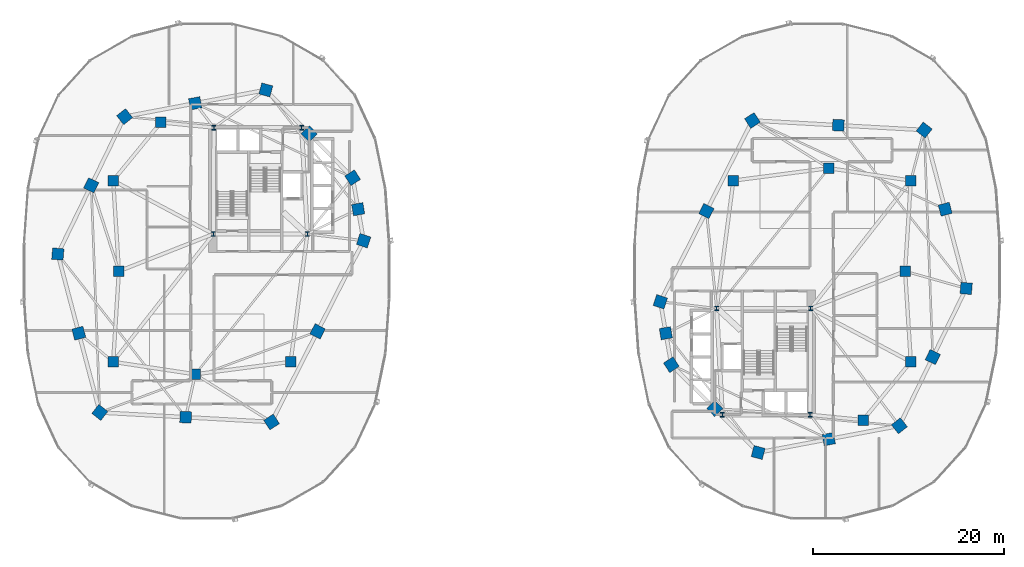
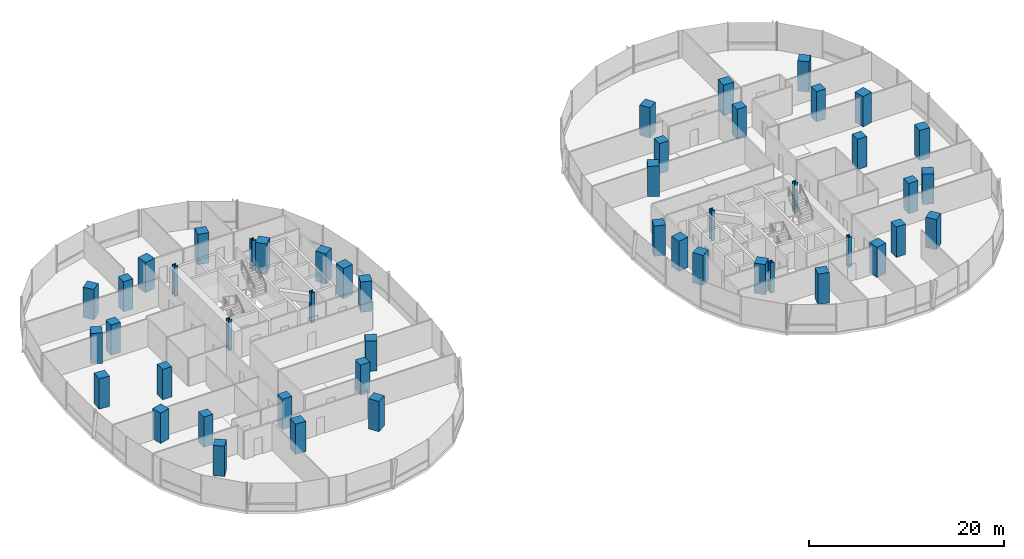
# One storey, part 1 of 22: 48 columns.
"""IFC4 building model written with IfcOpenShell, lengths in metres."""

from ifc_helpers import new_model, si_unit, direction, frame, origin, origin_2d, place, context, subcontext, project, spatial, rectangle, i_section, extrude, material, material_profile, profile_set, type_object, element, save


model = new_model("IFC4")

# Units and contexts
model_context = context("Model", 3, precision=1e-05, world=origin(), true_north=direction((0.0, 1.0)))
body_context = subcontext(model_context, "Body", "Model", "MODEL_VIEW")
ifc_project = project(units=[si_unit("LENGTHUNIT", "METRE"), si_unit("AREAUNIT", "SQUARE_METRE"), si_unit("VOLUMEUNIT", "CUBIC_METRE"), si_unit("PLANEANGLEUNIT", "RADIAN"), si_unit("MASSUNIT", "GRAM", prefix="KILO"), si_unit("THERMODYNAMICTEMPERATUREUNIT", "KELVIN"), si_unit("POWERUNIT", "WATT")], contexts=[model_context])

# Site, building, storey
site_placement = place(None, origin())
site = spatial("IfcSite", under=ifc_project, at=site_placement, CompositionType="ELEMENT")
building_placement = place(site_placement, origin())
building = spatial("IfcBuilding", under=site, at=building_placement, Name="Cundina Bronze Exchange", CompositionType="ELEMENT")
storey_placement = place(building_placement, frame((0.0, 0.0, 35.39990234375)))
storey = spatial("IfcBuildingStorey", under=building, at=storey_placement, Name="L08", CompositionType="ELEMENT", Elevation=35.39990234375)

# Columns
ifc_material_1 = material(Name="Steel ASTM A992 Grade 50", Category="steel")
ifc_material_profile_1 = material_profile(ifc_material_1, i_section(OverallWidth=0.431884765625, OverallDepth=0.498046875, WebThickness=0.0556640625, FlangeThickness=0.0888671875, FilletRadius=0.01806640625, at=origin_2d()), Name="W14X500", Category="steel")
ifc_profile_set_1 = profile_set([ifc_material_profile_1], Name="Steel ASTM A992 Grade 50")
column_type_1 = type_object("IfcColumnType", Name="COL-STL-W14A", PredefinedType="COLUMN", material=ifc_profile_set_1)
for number, where, z_axis, x_axis, name in (
    (1, (-31.300048828125, 3.89990234375, 0.0), (0.0, 0.0, 1.0), (1.0, 0.0, 0.0), "L08 Core Anchor Column W1"),
    (2, (-21.449951171875, 3.89990234375, 0.0), (0.0, 0.0, 1.0), (1.0, 0.0, 0.0), "L08 Core Anchor Column W2"),
    (3, (-22.050048828125, 15.050048828125, 0.0), (0.0, 0.0, 1.0), (1.0, 0.0, 0.0), "L08 Core Anchor Column W3"),
    (4, (-31.25, 15.050048828125, 0.0), (0.0, 0.0, 1.0), (1.0, 0.0, 0.0), "L08 Core Anchor Column W4"),
    (5, (31.300048828125, -3.89990234375, 0.0), (0.0, 0.0, 1.0), (1.0, 0.0, 0.0), "L08 Core Anchor Column E1"),
    (6, (21.449951171875, -3.89990234375, 0.0), (0.0, 0.0, 1.0), (1.0, 0.0, 0.0), "L08 Core Anchor Column E2"),
    (7, (22.050048828125, -15.050048828125, 0.0), (0.0, 0.0, 1.0), (1.0, 0.0, 0.0), "L08 Core Anchor Column E3"),
    (8, (31.25, -15.050048828125, 0.0), (0.0, 0.0, 1.0), (1.0, 0.0, 0.0), "L08 Core Anchor Column E4"),
):
    element("IfcColumn", number, at=place(storey_placement, frame(where, z_axis=z_axis, x_axis=x_axis)), inside=storey, type_object=column_type_1, Name=name, PredefinedType="COLUMN", context=body_context, shape_type="SweptSolid", body=[
        extrude(i_section(OverallWidth=0.431884765625, OverallDepth=0.498046875, WebThickness=0.0556640625, FlangeThickness=0.0888671875, FilletRadius=0.01806640625, at=origin_2d()), origin(), (0.0, 0.0, 1.0), 3.800048828125),
    ])
ifc_material_2 = material(Name="Concrete C60/75", Category="concrete")
ifc_material_profile_2 = material_profile(ifc_material_2, rectangle(XDim=1.199951171875, YDim=1.199951171875, at=origin_2d()), Name="RC1200X1200", Category="concrete")
ifc_profile_set_2 = profile_set([ifc_material_profile_2], Name="Concrete C60/75")
column_type_2 = type_object("IfcColumnType", Name="COL-Z1-1200", PredefinedType="COLUMN", material=ifc_profile_set_2)
for number, where, z_axis, x_axis, name in (
    (9, (-15.550048828125, 3.199951171875, 0.0), (0.0, 0.0, 1.0), (0.315152163383, 0.949041155016, 0.0), "L08 W Perimeter Column 00"),
    (10, (-16.125, 6.5, 0.0), (0.0, 0.0, 1.0), (-0.171585221787, 0.985169280715, 0.0), "L08 W Perimeter Column 01"),
    (11, (-16.699951171875, 9.800048828125, 0.0), (0.0, 0.0, 1.0), (-0.544199833495, 0.838955625301, 0.0), "L08 W Perimeter Column 02"),
    (12, (-21.25, 14.39990234375, 0.0), (0.0, 0.0, 1.0), (-0.703270634186, 0.710922228581, 0.0), "L08 W Perimeter Column 03"),
    (13, (-25.800048828125, 19.0, 0.0), (0.0, 0.0, 1.0), (-0.965970984022, 0.258650455301, 0.0), "L08 W Perimeter Column 04"),
    (14, (-33.199951171875, 17.60009765625, 0.0), (0.0, 0.0, 1.0), (-0.98258037664, -0.185838110843, 0.0), "L08 W Perimeter Column 05"),
    (15, (-40.60009765625, 16.199951171875, 0.0), (0.0, 0.0, 1.0), (-0.785100778485, -0.619368038909, 0.0), "L08 W Perimeter Column 06"),
    (16, (-44.10009765625, 9.0, 0.0), (0.0, 0.0, 1.0), (-0.437115766651, -0.899405251566, 0.0), "L08 W Perimeter Column 07"),
    (17, (-47.60009765625, 1.800048828125, 0.0), (0.0, 0.0, 1.0), (-0.083503921245, -0.996507448611, 0.0), "L08 W Perimeter Column 08"),
    (18, (-45.39990234375, -6.5, 0.0), (0.0, 0.0, 1.0), (0.256289373133, -0.966600102017, 0.0), "L08 W Perimeter Column 09"),
    (19, (-43.199951171875, -14.800048828125, 0.0), (0.0, 0.0, 1.0), (0.786288432137, -0.61785961309, 0.0), "L08 W Perimeter Column 10"),
    (20, (-34.199951171875, -15.300048828125, 0.0), (0.0, 0.0, 1.0), (0.998460188734, -0.055472980025, 0.0), "L08 W Perimeter Column 11"),
    (21, (-25.199951171875, -15.800048828125, 0.0), (0.0, 0.0, 1.0), (0.838099763533, 0.545516989988, 0.0), "L08 W Perimeter Column 12"),
    (22, (-20.375, -6.300048828125, 0.0), (0.0, 0.0, 1.0), (0.452901591366, 0.891560513111, 0.0), "L08 W Perimeter Column 13"),
    (23, (15.550048828125, -3.199951171875, 0.0), (0.0, 0.0, 1.0), (-0.315152163383, -0.949041155016, 0.0), "L08 E Perimeter Column 00"),
    (24, (16.125, -6.5, 0.0), (0.0, 0.0, 1.0), (0.171585221787, -0.985169280715, 0.0), "L08 E Perimeter Column 01"),
    (25, (16.699951171875, -9.800048828125, 0.0), (0.0, 0.0, 1.0), (0.544199833495, -0.838955625301, 0.0), "L08 E Perimeter Column 02"),
    (26, (21.25, -14.39990234375, 0.0), (0.0, 0.0, 1.0), (0.703270634186, -0.710922228581, 0.0), "L08 E Perimeter Column 03"),
    (27, (25.800048828125, -19.0, 0.0), (0.0, 0.0, 1.0), (0.965970984022, -0.258650455301, 0.0), "L08 E Perimeter Column 04"),
    (28, (33.199951171875, -17.60009765625, 0.0), (0.0, 0.0, 1.0), (0.98258037664, 0.185838110843, 0.0), "L08 E Perimeter Column 05"),
    (29, (40.60009765625, -16.199951171875, 0.0), (0.0, 0.0, 1.0), (0.785100778485, 0.619368038909, 0.0), "L08 E Perimeter Column 06"),
    (30, (44.10009765625, -9.0, 0.0), (0.0, 0.0, 1.0), (0.437115766651, 0.899405251566, 0.0), "L08 E Perimeter Column 07"),
    (31, (47.60009765625, -1.800048828125, 0.0), (0.0, 0.0, 1.0), (0.083503921245, 0.996507448611, 0.0), "L08 E Perimeter Column 08"),
    (32, (45.39990234375, 6.5, 0.0), (0.0, 0.0, 1.0), (-0.256289373133, 0.966600102017, 0.0), "L08 E Perimeter Column 09"),
    (33, (43.199951171875, 14.800048828125, 0.0), (0.0, 0.0, 1.0), (-0.786288432137, 0.61785961309, 0.0), "L08 E Perimeter Column 10"),
    (34, (34.199951171875, 15.300048828125, 0.0), (0.0, 0.0, 1.0), (-0.998460188734, 0.055472980025, 0.0), "L08 E Perimeter Column 11"),
    (35, (25.199951171875, 15.800048828125, 0.0), (0.0, 0.0, 1.0), (-0.838099763533, -0.545516989988, 0.0), "L08 E Perimeter Column 12"),
    (36, (20.375, 6.300048828125, 0.0), (0.0, 0.0, 1.0), (-0.452901591366, -0.891560513111, 0.0), "L08 E Perimeter Column 13"),
):
    element("IfcColumn", number, at=place(storey_placement, frame(where, z_axis=z_axis, x_axis=x_axis)), inside=storey, type_object=column_type_2, Name=name, PredefinedType="COLUMN", context=body_context, shape_type="SweptSolid", body=[
        extrude(rectangle(XDim=1.199951171875, YDim=1.199951171875, at=origin_2d()), origin(), (0.0, 0.0, 1.0), 3.800048828125),
    ])
ifc_material_profile_3 = material_profile(ifc_material_2, rectangle(XDim=1.10009765625, YDim=1.10009765625, at=origin_2d()), Name="RC1100X1100", Category="concrete")
ifc_profile_set_3 = profile_set([ifc_material_profile_3], Name="Concrete C60/75")
column_type_3 = type_object("IfcColumnType", Name="COL-Z2-1100", PredefinedType="COLUMN", material=ifc_profile_set_3)
for number, where, z_axis, x_axis, name in (
    (37, (-41.199951171875, 0.0, 0.0), (0.0, 0.0, 1.0), (1.0, 0.0, 0.0), "L08 W Inner Ring Column 1"),
    (38, (-41.800048828125, 9.5, 0.0), (0.0, 0.0, 1.0), (1.0, 0.0, 0.0), "L08 W Inner Ring Column 2"),
    (39, (-36.800048828125, 15.60009765625, 0.0), (0.0, 0.0, 1.0), (1.0, 0.0, 0.0), "L08 W Inner Ring Column 3"),
    (40, (-41.800048828125, -9.5, 0.0), (0.0, 0.0, 1.0), (1.0, 0.0, 0.0), "L08 W Inner Ring Column 4"),
    (41, (-33.199951171875, -10.800048828125, 0.0), (0.0, 0.0, 1.0), (1.0, 0.0, 0.0), "L08 W Inner Ring Column 5"),
    (42, (-23.199951171875, -9.5, 0.0), (0.0, 0.0, 1.0), (1.0, 0.0, 0.0), "L08 W Inner Ring Column 6"),
    (43, (41.199951171875, 0.0, 0.0), (0.0, 0.0, 1.0), (1.0, 0.0, 0.0), "L08 E Inner Ring Column 1"),
    (44, (41.800048828125, -9.5, 0.0), (0.0, 0.0, 1.0), (1.0, 0.0, 0.0), "L08 E Inner Ring Column 2"),
    (45, (36.800048828125, -15.60009765625, 0.0), (0.0, 0.0, 1.0), (1.0, 0.0, 0.0), "L08 E Inner Ring Column 3"),
    (46, (41.800048828125, 9.5, 0.0), (0.0, 0.0, 1.0), (1.0, 0.0, 0.0), "L08 E Inner Ring Column 4"),
    (47, (33.199951171875, 10.800048828125, 0.0), (0.0, 0.0, 1.0), (1.0, 0.0, 0.0), "L08 E Inner Ring Column 5"),
    (48, (23.199951171875, 9.5, 0.0), (0.0, 0.0, 1.0), (1.0, 0.0, 0.0), "L08 E Inner Ring Column 6"),
):
    element("IfcColumn", number, at=place(storey_placement, frame(where, z_axis=z_axis, x_axis=x_axis)), inside=storey, type_object=column_type_3, Name=name, PredefinedType="COLUMN", context=body_context, shape_type="SweptSolid", body=[
        extrude(rectangle(XDim=1.10009765625, YDim=1.10009765625, at=origin_2d()), origin(), (0.0, 0.0, 1.0), 3.800048828125),
    ])

save(model, "model.ifc")
